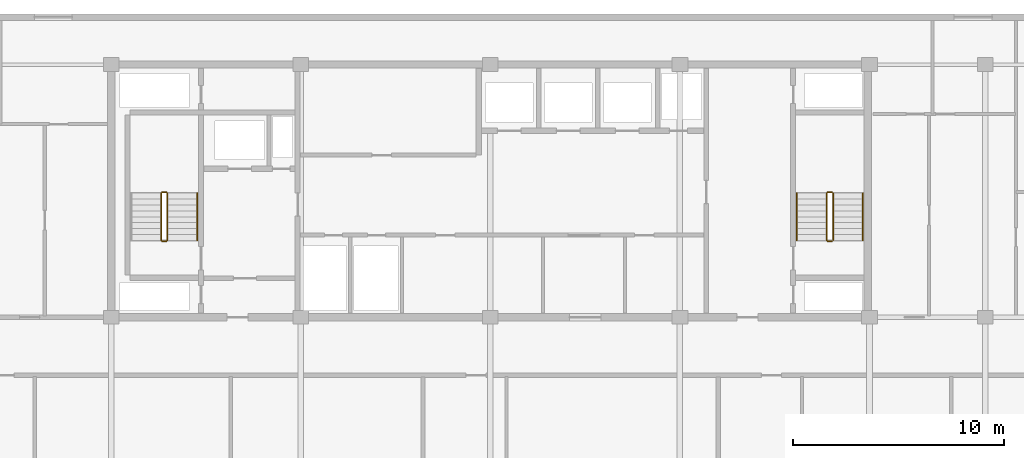
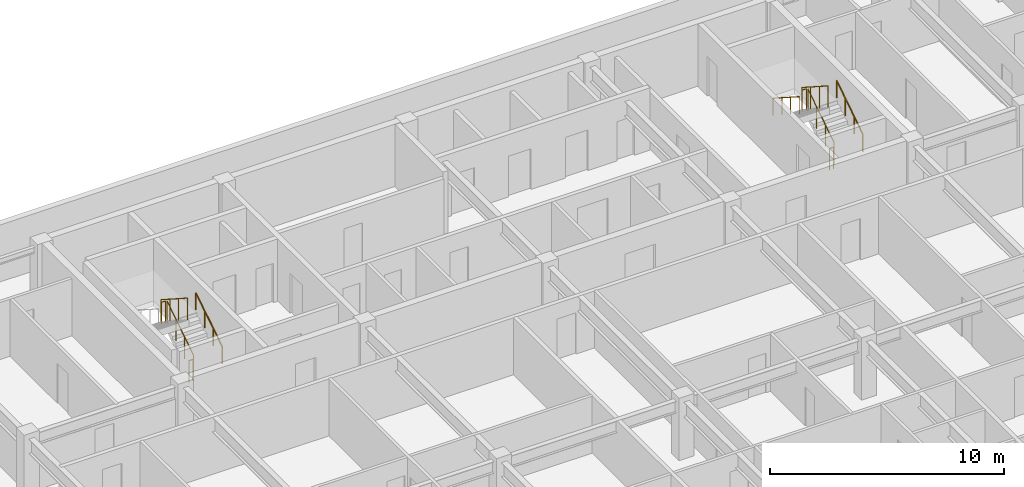
# One storey, part 19 of 22: 11 railings.
"""IFC4 building model written with IfcOpenShell, lengths in metres."""

from ifc_helpers import new_model, si_unit, direction, frame, origin, origin_2d, place, context, subcontext, project, spatial, circle, extrude, material, type_object, element, save


model = new_model("IFC4")

# Units and contexts
model_context = context("Model", 3, precision=1e-05, world=origin(), true_north=direction((0.0, 1.0)))
body_context = subcontext(model_context, "Body", "Model", "MODEL_VIEW")
ifc_project = project(units=[si_unit("LENGTHUNIT", "METRE"), si_unit("AREAUNIT", "SQUARE_METRE"), si_unit("VOLUMEUNIT", "CUBIC_METRE"), si_unit("PLANEANGLEUNIT", "RADIAN"), si_unit("MASSUNIT", "GRAM", prefix="KILO")], contexts=[model_context])

# Site, building, storey
site_placement = place(None, origin())
site = spatial("IfcSite", under=ifc_project, at=site_placement, CompositionType="ELEMENT")
building_placement = place(site_placement, origin())
building = spatial("IfcBuilding", under=site, at=building_placement, Name="Korimba Cascade Residences", CompositionType="ELEMENT")
storey_placement = place(building_placement, frame((0.0, 0.0, 194.60009765625)))
storey = spatial("IfcBuildingStorey", under=building, at=storey_placement, Name="L56", CompositionType="ELEMENT", Elevation=194.60009765625)

# Railings
ifc_material_1 = material(Name="Painted Steel Stairwell Guardrail", Category="steel")
railing_type_1 = type_object("IfcRailingType", Name="RLG-ST-GD1150", PredefinedType="GUARDRAIL", material=ifc_material_1)
railing_1_placement = place(storey_placement, frame((84.77001953125, 22.050048828125, 0.180419921875)))
element("IfcRailing", 1, at=railing_1_placement, inside=storey, type_object=railing_type_1, Name="L56 ST-E1 stair guard 1", PredefinedType="GUARDRAIL", context=body_context, shape_type="SweptSolid", body=[
    extrude(circle(Radius=0.02392578125, at=origin_2d()), frame((0.0, 0.0, 1.1259765625), z_axis=(0.0, 0.840394893359, 0.541974559565), x_axis=(-1.0, 0.0, 0.0)), (0.0, 0.0, 1.0), 2.665283203125),
    extrude(circle(Radius=0.02099609375, at=origin_2d()), origin(), (0.0, 0.0, 1.0), 1.101806640625),
    extrude(circle(Radius=0.02099609375, at=origin_2d()), frame((0.0, 0.74658203125, 0.4814453125)), (0.0, 0.0, 1.0), 1.101806640625),
    extrude(circle(Radius=0.02099609375, at=origin_2d()), frame((0.0, 1.493408203125, 0.963134765625)), (0.0, 0.0, 1.0), 1.101806640625),
    extrude(circle(Radius=0.02099609375, at=origin_2d()), frame((0.0, 2.239990234375, 1.444580078125)), (0.0, 0.0, 1.0), 1.101806640625),
])
railing_2_placement = place(storey_placement, frame((84.719970703125, 24.340087890625, 1.625)))
element("IfcRailing", 2, at=railing_2_placement, inside=storey, type_object=railing_type_1, Name="L56 ST-E1 stair guard 2", PredefinedType="GUARDRAIL", context=body_context, shape_type="SweptSolid", body=[
    extrude(circle(Radius=0.02392578125, at=origin_2d()), frame((0.0, 0.0, 1.1259765625), z_axis=(-1.0, 0.0, 0.0), x_axis=(0.0, -1.0, 0.0)), (0.0, 0.0, 1.0), 0.199951171875),
    extrude(circle(Radius=0.02099609375, at=origin_2d()), origin(), (0.0, 0.0, 1.0), 1.101806640625),
    extrude(circle(Radius=0.02099609375, at=origin_2d()), frame((-0.199951171875, 0.0, 0.0)), (0.0, 0.0, 1.0), 1.101806640625),
])
railing_3_placement = place(storey_placement, frame((84.469970703125, 24.2900390625, 1.805419921875)))
element("IfcRailing", 3, at=railing_3_placement, inside=storey, type_object=railing_type_1, Name="L56 ST-E1 stair guard 3", PredefinedType="GUARDRAIL", context=body_context, shape_type="SweptSolid", body=[
    extrude(circle(Radius=0.02392578125, at=origin_2d()), frame((0.0, 0.0, 1.1259765625), z_axis=(0.0, -0.840394893359, 0.541974559565), x_axis=(1.0, 0.0, 0.0)), (0.0, 0.0, 1.0), 2.665283203125),
    extrude(circle(Radius=0.02099609375, at=origin_2d()), origin(), (0.0, 0.0, 1.0), 1.101806640625),
    extrude(circle(Radius=0.02099609375, at=origin_2d()), frame((0.0, -0.74658203125, 0.4814453125)), (0.0, 0.0, 1.0), 1.101806640625),
    extrude(circle(Radius=0.02099609375, at=origin_2d()), frame((0.0, -1.493408203125, 0.963134765625)), (0.0, 0.0, 1.0), 1.101806640625),
    extrude(circle(Radius=0.02099609375, at=origin_2d()), frame((0.0, -2.239990234375, 1.444580078125)), (0.0, 0.0, 1.0), 1.101806640625),
])
railing_4_placement = place(storey_placement, frame((84.719970703125, 22.0, 0.0)))
element("IfcRailing", 4, at=railing_4_placement, inside=storey, type_object=railing_type_1, Name="L56 ST-E1 stair guard 4", PredefinedType="GUARDRAIL", context=body_context, shape_type="SweptSolid", body=[
    extrude(circle(Radius=0.02392578125, at=origin_2d()), frame((0.0, 0.0, 1.1259765625), z_axis=(-1.0, 0.0, 0.0), x_axis=(0.0, -1.0, 0.0)), (0.0, 0.0, 1.0), 0.199951171875),
    extrude(circle(Radius=0.02099609375, at=origin_2d()), origin(), (0.0, 0.0, 1.0), 1.101806640625),
    extrude(circle(Radius=0.02099609375, at=origin_2d()), frame((-0.199951171875, 0.0, 0.0)), (0.0, 0.0, 1.0), 1.101806640625),
])
railing_5_placement = place(storey_placement, frame((116.3701171875, 22.050048828125, 0.180419921875)))
element("IfcRailing", 5, at=railing_5_placement, inside=storey, type_object=railing_type_1, Name="L56 ST-E2 stair guard 1", PredefinedType="GUARDRAIL", context=body_context, shape_type="SweptSolid", body=[
    extrude(circle(Radius=0.02392578125, at=origin_2d()), frame((0.0, 0.0, 1.1259765625), z_axis=(0.0, 0.840394893359, 0.541974559565), x_axis=(-1.0, 0.0, 0.0)), (0.0, 0.0, 1.0), 2.665283203125),
    extrude(circle(Radius=0.02099609375, at=origin_2d()), origin(), (0.0, 0.0, 1.0), 1.101806640625),
    extrude(circle(Radius=0.02099609375, at=origin_2d()), frame((0.0, 0.74658203125, 0.4814453125)), (0.0, 0.0, 1.0), 1.101806640625),
    extrude(circle(Radius=0.02099609375, at=origin_2d()), frame((0.0, 1.493408203125, 0.963134765625)), (0.0, 0.0, 1.0), 1.101806640625),
    extrude(circle(Radius=0.02099609375, at=origin_2d()), frame((0.0, 2.239990234375, 1.444580078125)), (0.0, 0.0, 1.0), 1.101806640625),
])
railing_6_placement = place(storey_placement, frame((116.320068359375, 24.340087890625, 1.625)))
element("IfcRailing", 6, at=railing_6_placement, inside=storey, type_object=railing_type_1, Name="L56 ST-E2 stair guard 2", PredefinedType="GUARDRAIL", context=body_context, shape_type="SweptSolid", body=[
    extrude(circle(Radius=0.02392578125, at=origin_2d()), frame((0.0, 0.0, 1.1259765625), z_axis=(-1.0, 0.0, 0.0), x_axis=(0.0, -1.0, 0.0)), (0.0, 0.0, 1.0), 0.199951171875),
    extrude(circle(Radius=0.02099609375, at=origin_2d()), origin(), (0.0, 0.0, 1.0), 1.101806640625),
    extrude(circle(Radius=0.02099609375, at=origin_2d()), frame((-0.199951171875, 0.0, 0.0)), (0.0, 0.0, 1.0), 1.101806640625),
])
railing_7_placement = place(storey_placement, frame((116.070068359375, 24.2900390625, 1.805419921875)))
element("IfcRailing", 7, at=railing_7_placement, inside=storey, type_object=railing_type_1, Name="L56 ST-E2 stair guard 3", PredefinedType="GUARDRAIL", context=body_context, shape_type="SweptSolid", body=[
    extrude(circle(Radius=0.02392578125, at=origin_2d()), frame((0.0, 0.0, 1.1259765625), z_axis=(0.0, -0.840394893359, 0.541974559565), x_axis=(1.0, 0.0, 0.0)), (0.0, 0.0, 1.0), 2.665283203125),
    extrude(circle(Radius=0.02099609375, at=origin_2d()), origin(), (0.0, 0.0, 1.0), 1.101806640625),
    extrude(circle(Radius=0.02099609375, at=origin_2d()), frame((0.0, -0.74658203125, 0.4814453125)), (0.0, 0.0, 1.0), 1.101806640625),
    extrude(circle(Radius=0.02099609375, at=origin_2d()), frame((0.0, -1.493408203125, 0.963134765625)), (0.0, 0.0, 1.0), 1.101806640625),
    extrude(circle(Radius=0.02099609375, at=origin_2d()), frame((0.0, -2.239990234375, 1.444580078125)), (0.0, 0.0, 1.0), 1.101806640625),
])
railing_8_placement = place(storey_placement, frame((116.320068359375, 22.0, 0.0)))
element("IfcRailing", 8, at=railing_8_placement, inside=storey, type_object=railing_type_1, Name="L56 ST-E2 stair guard 4", PredefinedType="GUARDRAIL", context=body_context, shape_type="SweptSolid", body=[
    extrude(circle(Radius=0.02392578125, at=origin_2d()), frame((0.0, 0.0, 1.1259765625), z_axis=(-1.0, 0.0, 0.0), x_axis=(0.0, -1.0, 0.0)), (0.0, 0.0, 1.0), 0.199951171875),
    extrude(circle(Radius=0.02099609375, at=origin_2d()), origin(), (0.0, 0.0, 1.0), 1.101806640625),
    extrude(circle(Radius=0.02099609375, at=origin_2d()), frame((-0.199951171875, 0.0, 0.0)), (0.0, 0.0, 1.0), 1.101806640625),
])
ifc_material_2 = material(Name="Brushed Stainless Steel Handrail", Category="steel")
railing_type_2 = type_object("IfcRailingType", Name="RLG-ST-HR900", PredefinedType="HANDRAIL", material=ifc_material_2)
for number, where, name in (
    (9, (86.18994140625, 22.050048828125, 0.36474609375), "L56 ST-E1 stair handrail 1"),
    (10, (117.7900390625, 22.050048828125, 0.36474609375), "L56 ST-E2 stair handrail 1"),
):
    element("IfcRailing", number, at=place(storey_placement, frame(where)), inside=storey, type_object=railing_type_2, Name=name, PredefinedType="HANDRAIL", context=body_context, shape_type="SweptSolid", body=[
        extrude(circle(Radius=0.02392578125, at=origin_2d()), frame((0.0, 0.0, 0.8759765625), z_axis=(0.0, 0.840394893359, 0.541974559565), x_axis=(-1.0, 0.0, 0.0)), (0.0, 0.0, 1.0), 2.665283203125),
        extrude(circle(Radius=0.02099609375, at=origin_2d()), origin(), (0.0, 0.0, 1.0), 0.851806640625),
        extrude(circle(Radius=0.02099609375, at=origin_2d()), frame((0.0, 0.74658203125, 0.4814453125)), (0.0, 0.0, 1.0), 0.851806640625),
        extrude(circle(Radius=0.02099609375, at=origin_2d()), frame((0.0, 1.493408203125, 0.963134765625)), (0.0, 0.0, 1.0), 0.851806640625),
        extrude(circle(Radius=0.02099609375, at=origin_2d()), frame((0.0, 2.239990234375, 1.444580078125)), (0.0, 0.0, 1.0), 0.851806640625),
    ])
railing_9_placement = place(storey_placement, frame((114.64990234375, 24.2900390625, 1.98974609375)))
element("IfcRailing", 11, at=railing_9_placement, inside=storey, type_object=railing_type_2, Name="L56 ST-E2 stair handrail 2", PredefinedType="HANDRAIL", context=body_context, shape_type="SweptSolid", body=[
    extrude(circle(Radius=0.02392578125, at=origin_2d()), frame((0.0, 0.0, 0.8759765625), z_axis=(0.0, -0.840394893359, 0.541974559565), x_axis=(1.0, 0.0, 0.0)), (0.0, 0.0, 1.0), 2.665283203125),
    extrude(circle(Radius=0.02099609375, at=origin_2d()), origin(), (0.0, 0.0, 1.0), 0.851806640625),
    extrude(circle(Radius=0.02099609375, at=origin_2d()), frame((0.0, -0.74658203125, 0.4814453125)), (0.0, 0.0, 1.0), 0.851806640625),
    extrude(circle(Radius=0.02099609375, at=origin_2d()), frame((0.0, -1.493408203125, 0.963134765625)), (0.0, 0.0, 1.0), 0.851806640625),
    extrude(circle(Radius=0.02099609375, at=origin_2d()), frame((0.0, -2.239990234375, 1.444580078125)), (0.0, 0.0, 1.0), 0.851806640625),
])

save(model, "model.ifc")
